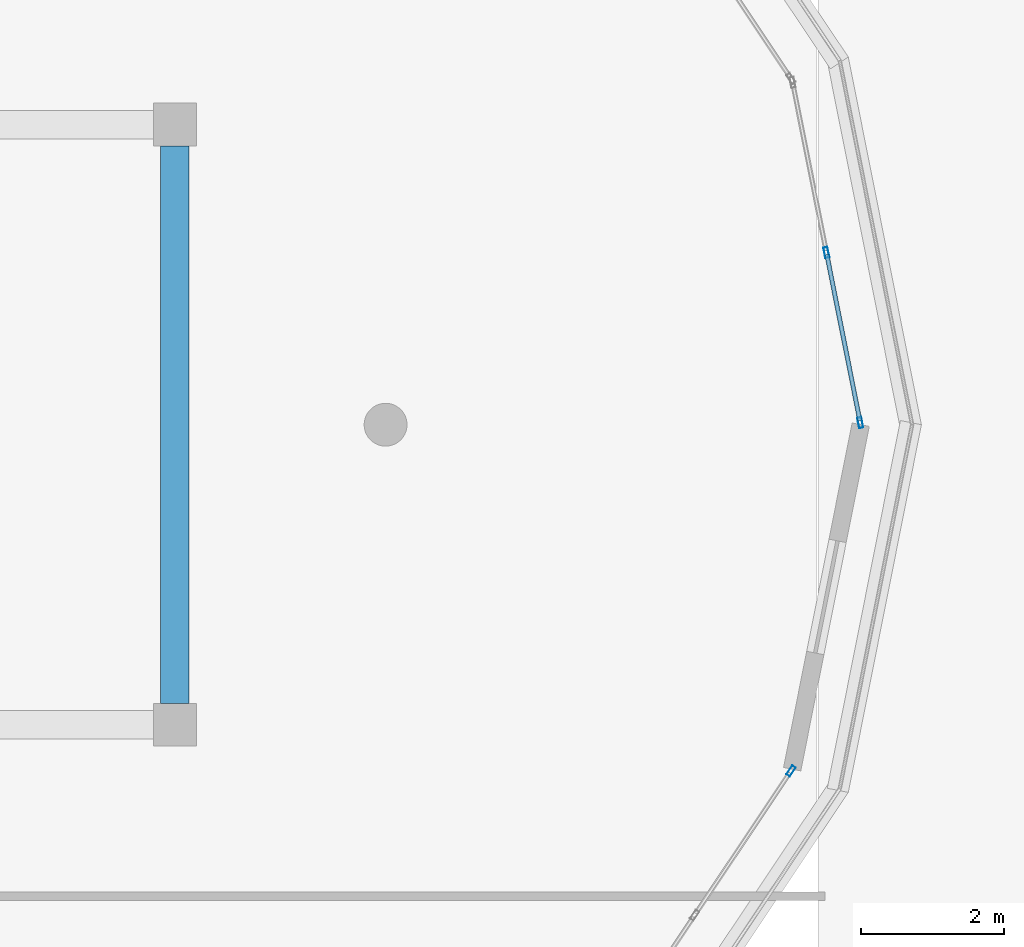
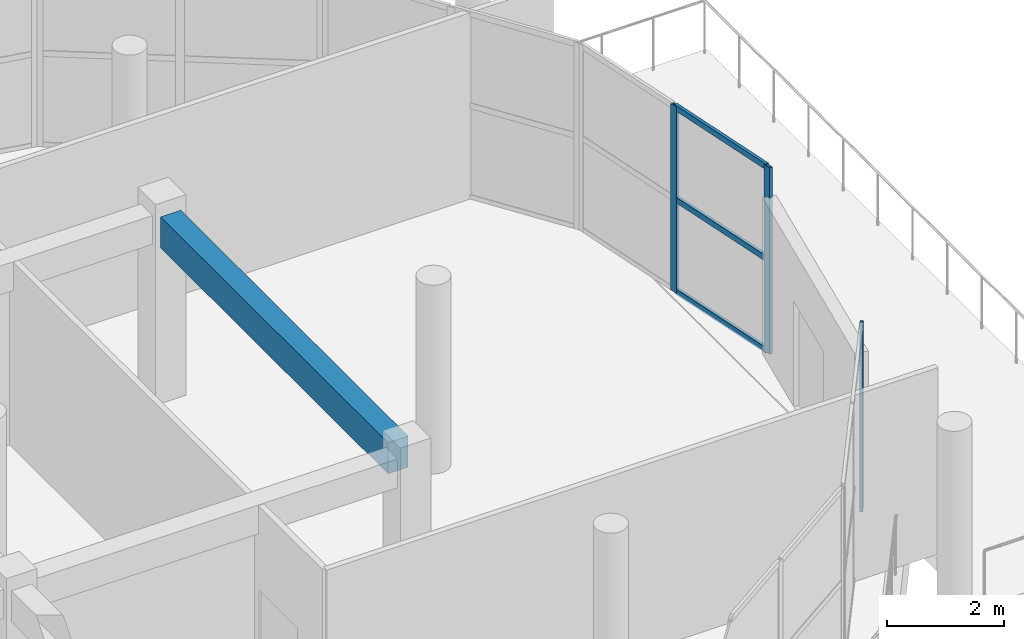
# One storey, part 32 of 56: 6 members, 1 beam, 2 elements without a shape of their own.
"""IFC4 building model written with IfcOpenShell, lengths in metres."""

from ifc_helpers import new_model, si_unit, direction, frame, origin, origin_2d, place, context, subcontext, project, spatial, rectangle, hollow_rectangle, extrude, material, layer, layer_set, material_profile, profile_set, type_object, element, aggregate, save


model = new_model("IFC4")

# Units and contexts
model_context = context("Model", 3, precision=1e-05, world=origin(), true_north=direction((0.0, 1.0)))
body_context = subcontext(model_context, "Body", "Model", "MODEL_VIEW")
ifc_project = project(units=[si_unit("LENGTHUNIT", "METRE"), si_unit("AREAUNIT", "SQUARE_METRE"), si_unit("VOLUMEUNIT", "CUBIC_METRE"), si_unit("PLANEANGLEUNIT", "RADIAN"), si_unit("MASSUNIT", "GRAM", prefix="KILO")], contexts=[model_context])

# Site, building, storey
site_placement = place(None, origin())
site = spatial("IfcSite", under=ifc_project, at=site_placement, CompositionType="ELEMENT")
building_placement = place(site_placement, origin())
building = spatial("IfcBuilding", under=site, at=building_placement, Name="Zizhar Promenade General Hospital", CompositionType="ELEMENT")
storey_placement = place(building_placement, frame((0.0, 0.0, 26.39990234375)))
storey = spatial("IfcBuildingStorey", under=building, at=storey_placement, Name="L06", CompositionType="ELEMENT", Elevation=26.39990234375)

# Beam
ifc_material_1 = material(Name="Concrete C35/45", Category="concrete")
ifc_material_profile_1 = material_profile(ifc_material_1, rectangle(XDim=0.39990234375, YDim=0.64990234375, at=origin_2d()))
ifc_profile_set_1 = profile_set([ifc_material_profile_1], Name="Concrete C35/45")
beam_type = type_object("IfcBeamType", Name="BM-RC-400x650", PredefinedType="BEAM", material=ifc_profile_set_1)
beam_placement = place(storey_placement, frame((117.0, 8.699951171875, 3.585205078125), z_axis=(0.0, 1.0, 0.0), x_axis=(-1.0, 0.0, 0.0)))
element("IfcBeam", 1, at=beam_placement, inside=storey, type_object=beam_type, Name="Grid Beam Y L06 (15-1)", PredefinedType="BEAM", context=body_context, shape_type="SweptSolid", body=[
    extrude(rectangle(XDim=0.39990234375, YDim=0.64990234375, at=origin_2d()), origin(), (0.0, 0.0, 1.0), 7.800048828125),
])

# Curtain wall, member
ifc_material_2 = material(Name="Anodised aluminium 6063-T6 and low-E glass", Category="aluminium")
ifc_layer = layer(ifc_material_2, 0.159912109375)
ifc_layer_set = layer_set([ifc_layer], Name="Anodised aluminium 6063-T6 and low-E glass")
curtain_wall_type = type_object("IfcCurtainWallType", Name="CW-WARD-ARC", PredefinedType="NOTDEFINED", material=ifc_layer_set)
curtain_wall_1_placement = place(storey_placement, origin())
curtain_wall_1 = element("IfcCurtainWall", 2, at=curtain_wall_1_placement, inside=storey, type_object=curtain_wall_type, Name="Ward Semicircular End Glazing L06-03", PredefinedType="NOTDEFINED")
ifc_material_3 = material(Name="Anodised aluminium 6063-T6", Category="aluminium")
ifc_material_profile_2 = material_profile(ifc_material_3, hollow_rectangle(XDim=0.06005859375, YDim=0.14990234375, WallThickness=0.00390625, at=origin_2d()))
ifc_profile_set_2 = profile_set([ifc_material_profile_2], Name="Anodised aluminium 6063-T6")
member_type_1 = type_object("IfcMemberType", Name="CWM-ALU-150x60", PredefinedType="MULLION", material=ifc_profile_set_2)
member_1_placement = place(storey_placement, frame((125.624267578125, 7.753173828125, 0.0), z_axis=(0.0, 0.0, 1.0), x_axis=(0.831461514468, -0.555582352095, 0.0)))
member_1 = element("IfcMember", 3, at=member_1_placement, type_object=member_type_1, Name="CW-12 mullion 1", PredefinedType="MULLION", context=body_context, shape_type="SweptSolid", body=[
    extrude(hollow_rectangle(XDim=0.06005859375, YDim=0.14990234375, WallThickness=0.00390625, at=origin_2d()), origin(), (0.0, 0.0, 1.0), 3.900146484375),
])
aggregate(curtain_wall_1, [member_1])

# Curtain wall, members
curtain_wall_2_placement = place(storey_placement, origin())
curtain_wall_2 = element("IfcCurtainWall", 4, at=curtain_wall_2_placement, inside=storey, type_object=curtain_wall_type, Name="Ward Semicircular End Glazing L06-05", PredefinedType="NOTDEFINED")
member_2_placement = place(storey_placement, frame((126.120361328125, 15.010986328125, 0.0), z_axis=(0.0, 0.0, 1.0), x_axis=(0.980785889615, 0.195087259275, 0.0)))
member_2 = element("IfcMember", 5, at=member_2_placement, type_object=member_type_1, Name="CW-12 mullion 2", PredefinedType="MULLION", context=body_context, shape_type="SweptSolid", body=[
    extrude(hollow_rectangle(XDim=0.06005859375, YDim=0.14990234375, WallThickness=0.00390625, at=origin_2d()), origin(), (0.0, 0.0, 1.0), 3.900146484375),
])
member_3_placement = place(storey_placement, frame((126.59423828125, 12.62939453125, 0.0), z_axis=(0.0, 0.0, 1.0), x_axis=(0.980785889615, 0.195087259275, 0.0)))
member_3 = element("IfcMember", 6, at=member_3_placement, type_object=member_type_1, Name="CW-12 mullion 3", PredefinedType="MULLION", context=body_context, shape_type="SweptSolid", body=[
    extrude(hollow_rectangle(XDim=0.06005859375, YDim=0.14990234375, WallThickness=0.00390625, at=origin_2d()), origin(), (0.0, 0.0, 1.0), 3.900146484375),
])
ifc_material_4 = material(Name="Anodised aluminium 6063-T6", Category="aluminium")
ifc_material_profile_3 = material_profile(ifc_material_4, hollow_rectangle(XDim=0.06005859375, YDim=0.1201171875, WallThickness=0.00390625, at=origin_2d()))
ifc_profile_set_3 = profile_set([ifc_material_profile_3], Name="Anodised aluminium 6063-T6")
member_type_2 = type_object("IfcMemberType", Name="CWT-ALU-120x60", PredefinedType="USERDEFINED", material=ifc_profile_set_3)
member_4_placement = place(storey_placement, frame((126.126220703125, 14.9814453125, 0.030029296875), z_axis=(0.195164369634, -0.98077054851, 0.0), x_axis=(0.98077054851, 0.195164369634, 0.0)))
member_4 = element("IfcMember", 7, at=member_4_placement, type_object=member_type_2, Name="CW-12 transom 2.1", ObjectType="TRANSOM", PredefinedType="USERDEFINED", context=body_context, shape_type="SweptSolid", body=[
    extrude(hollow_rectangle(XDim=0.06005859375, YDim=0.1201171875, WallThickness=0.00390625, at=origin_2d()), origin(), (0.0, 0.0, 1.0), 2.3681640625),
])
member_5_placement = place(storey_placement, frame((126.126220703125, 14.9814453125, 1.9501953125), z_axis=(0.195164369634, -0.98077054851, 0.0), x_axis=(0.98077054851, 0.195164369634, 0.0)))
member_5 = element("IfcMember", 8, at=member_5_placement, type_object=member_type_2, Name="CW-12 transom 2.2", ObjectType="TRANSOM", PredefinedType="USERDEFINED", context=body_context, shape_type="SweptSolid", body=[
    extrude(hollow_rectangle(XDim=0.06005859375, YDim=0.1201171875, WallThickness=0.00390625, at=origin_2d()), origin(), (0.0, 0.0, 1.0), 2.3681640625),
])
member_6_placement = place(storey_placement, frame((126.126220703125, 14.9814453125, 3.8701171875), z_axis=(0.195164369634, -0.98077054851, 0.0), x_axis=(0.98077054851, 0.195164369634, 0.0)))
member_6 = element("IfcMember", 9, at=member_6_placement, type_object=member_type_2, Name="CW-12 transom 2.3", ObjectType="TRANSOM", PredefinedType="USERDEFINED", context=body_context, shape_type="SweptSolid", body=[
    extrude(hollow_rectangle(XDim=0.06005859375, YDim=0.1201171875, WallThickness=0.00390625, at=origin_2d()), origin(), (0.0, 0.0, 1.0), 2.3681640625),
])
aggregate(curtain_wall_2, [member_2, member_3, member_4, member_5, member_6])

save(model, "model.ifc")
